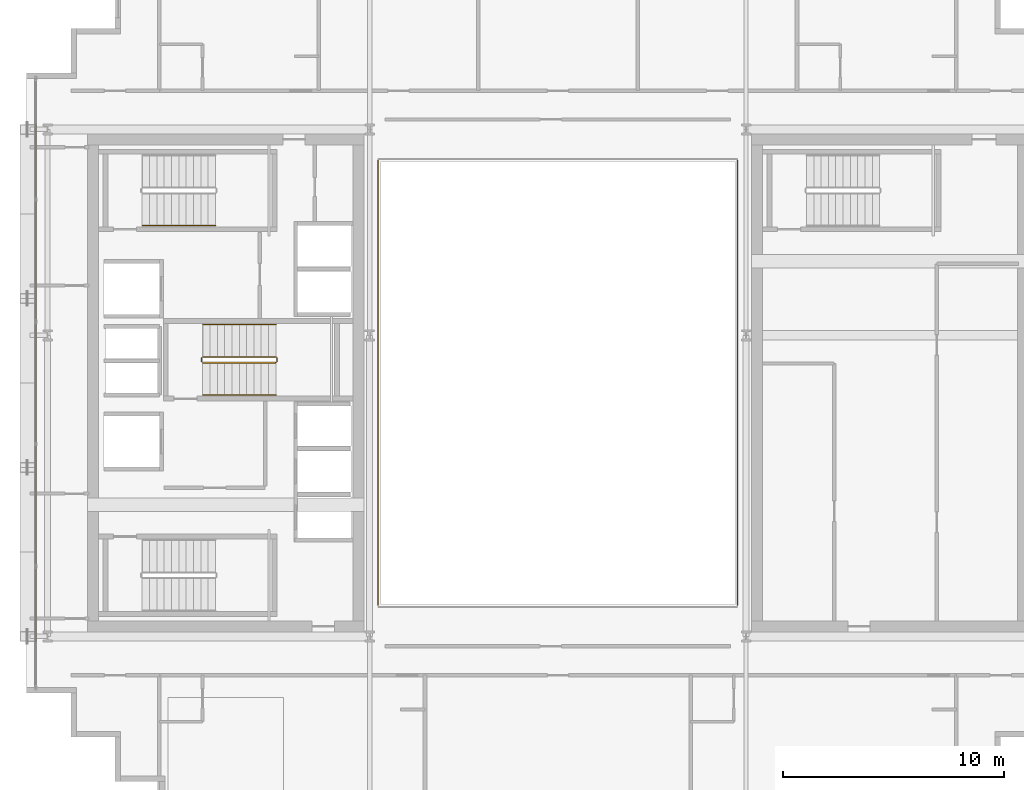
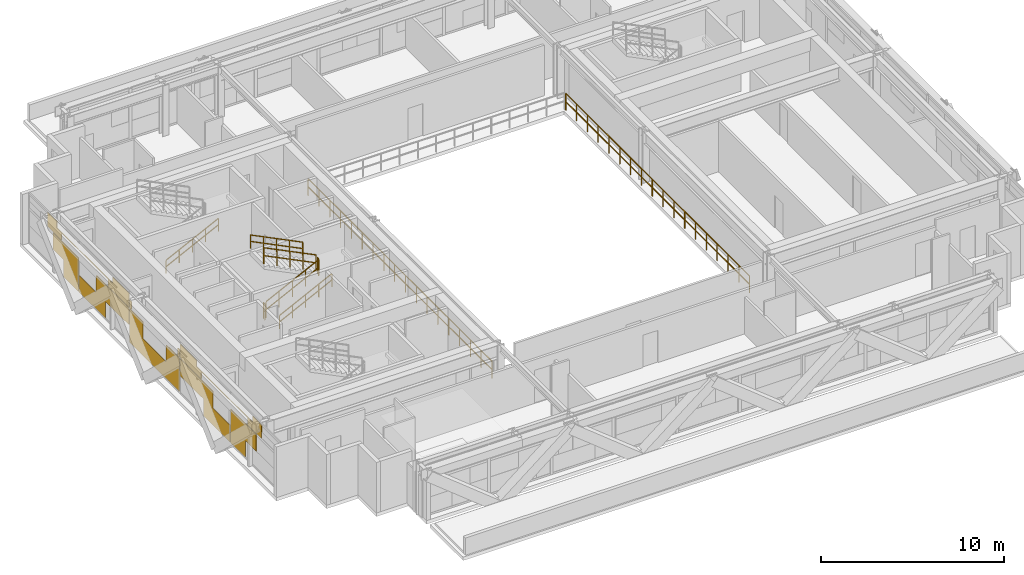
# One storey, part 32 of 34: 9 railings, 1 covering.
"""IFC4 building model written with IfcOpenShell, lengths in metres."""

import ifcopenshell
import ifcopenshell.guid

model = None  # the IFC model being written
_history = None  # IfcOwnerHistory: only IFC2X3 demands one
_inside = {}  # id of a spatial element -> (the spatial element, [elements in it])
_under = {}  # id of a project, library or spatial element -> (it, [spatial elements below it])
_declared = {}  # id of a project -> (the project, [libraries it declares])
_typed = {}  # id of a type object -> (the type object, [elements of that type])
_made_of = {}  # id of a material, layer set ... -> (it, [elements and type objects made of it])


def new_model(schema):
    """Start an empty IFC model of exactly this schema.

    Asked for "IFC4X3", IfcOpenShell would pick the latest addendum, in which some entities
    have other attributes; the version numbers below select the first issue.
    IFC2X3 requires an IfcOwnerHistory on every rooted entity: one is made here for all.
    """
    global model, _history
    if schema == "IFC4X3":
        model = ifcopenshell.file(schema_version=(4, 3, 0, 0))
    else:
        model = ifcopenshell.file(schema=schema)
    _inside.clear()
    _under.clear()
    _declared.clear()
    _typed.clear()
    _made_of.clear()
    _history = None
    if model.schema == "IFC2X3":
        org = make("IfcOrganization", Name="unknown")
        user = make(
            "IfcPersonAndOrganization",
            ThePerson=make("IfcPerson", FamilyName="unknown"),
            TheOrganization=org,
        )
        app = make(
            "IfcApplication",
            ApplicationDeveloper=org,
            Version="unknown",
            ApplicationFullName="unknown",
            ApplicationIdentifier="unknown",
        )
        _history = make(
            "IfcOwnerHistory",
            OwningUser=user,
            OwningApplication=app,
            ChangeAction="ADDED",
            CreationDate=0,
        )
    return model


def make(cls, **values):
    """One entity of the class cls with the attributes given. An attribute that is None is left unset."""
    return model.create_entity(
        cls, **{name: value for name, value in values.items() if value is not None}
    )


def rooted(cls, **values):
    """An entity with a GlobalId (a new one), such as an element, a storey or a relation."""
    return make(cls, GlobalId=ifcopenshell.guid.new(), OwnerHistory=_history, **values)


def si_unit(unit_type, name, prefix=None):
    """IfcSIUnit, for example si_unit("LENGTHUNIT", "METRE", prefix="MILLI")."""
    return make("IfcSIUnit", UnitType=unit_type, Prefix=prefix, Name=name)


def assignment(units):
    """IfcUnitAssignment: the units of a project."""
    return None if units is None else make("IfcUnitAssignment", Units=units)


def point(xyz):
    """IfcCartesianPoint."""
    return None if xyz is None else make("IfcCartesianPoint", Coordinates=xyz)


def direction(xyz):
    """IfcDirection."""
    return None if xyz is None else make("IfcDirection", DirectionRatios=xyz)


def frame(location, z_axis=None, x_axis=None):
    """IfcAxis2Placement3D, a coordinate frame: its origin and axes. An axis left out is left unset."""
    return make(
        "IfcAxis2Placement3D",
        Location=point(location),
        Axis=direction(z_axis),
        RefDirection=direction(x_axis),
    )


def frame_2d(location, x_axis=None):
    """IfcAxis2Placement2D, a coordinate frame in the plane: its origin and x axis."""
    return make(
        "IfcAxis2Placement2D", Location=point(location), RefDirection=direction(x_axis)
    )


def origin():
    """The frame at (0, 0, 0) with its axes left unset."""
    return frame((0.0, 0.0, 0.0))


def origin_2d():
    """The frame at (0, 0) in the plane with its x axis left unset."""
    return frame_2d((0.0, 0.0))


def place(relative_to, where):
    """IfcLocalPlacement: puts the frame where relative to a parent placement (None: the world)."""
    return make(
        "IfcLocalPlacement", PlacementRelTo=relative_to, RelativePlacement=where
    )


def context(
    kind, dimensions, precision=None, world=None, true_north=None, identifier=None
):
    """IfcGeometricRepresentationContext, for example the 3D "Model" context."""
    return make(
        "IfcGeometricRepresentationContext",
        ContextIdentifier=identifier,
        ContextType=kind,
        CoordinateSpaceDimension=dimensions,
        Precision=precision,
        WorldCoordinateSystem=world,
        TrueNorth=true_north,
    )


def subcontext(parent, identifier, kind, view, scale=None):
    """IfcGeometricRepresentationSubContext, for example "Body" below "Model"."""
    return make(
        "IfcGeometricRepresentationSubContext",
        ContextIdentifier=identifier,
        ContextType=kind,
        ParentContext=parent,
        TargetScale=scale,
        TargetView=view,
    )


def project(units=None, contexts=None):
    """IfcProject with its units and contexts."""
    return rooted(
        "IfcProject",
        Name="project",
        RepresentationContexts=contexts,
        UnitsInContext=assignment(units),
    )


def spatial(cls, under=None, at=None, **own):
    """A site, building, storey or space (cls), placed at a placement, below another one or the project."""
    s = rooted(cls, ObjectPlacement=at, **own)
    if under is not None:
        _under.setdefault(under.id(), (under, []))[1].append(s)
    return s


def profile(cls, at=None, kind="AREA", **sizes):
    """A parametric profile (cls). Its sizes go by their IFC names, for example OverallWidth=200.0."""
    return make(cls, ProfileType=kind, Position=at, **sizes)


def rectangle(**sizes):
    """IfcRectangleProfileDef."""
    return profile("IfcRectangleProfileDef", **sizes)


def extrude(swept, where, along, depth):
    """IfcExtrudedAreaSolid: the profile swept, set in the frame where, extruded along a direction by depth."""
    return make(
        "IfcExtrudedAreaSolid",
        SweptArea=swept,
        Position=where,
        ExtrudedDirection=direction(along),
        Depth=depth,
    )


def shape(context_of_items, identifier, shape_type, items):
    """IfcShapeRepresentation: the items that make up one representation, for example the "Body"."""
    return make(
        "IfcShapeRepresentation",
        ContextOfItems=context_of_items,
        RepresentationIdentifier=identifier,
        RepresentationType=shape_type,
        Items=items,
    )


def material(Name=None, Category=None):
    """IfcMaterial."""
    return make("IfcMaterial", Name=Name, Category=Category)


def layer(
    of_material, thickness, ventilated=None, Name=None, Category=None, Priority=None
):
    """IfcMaterialLayer: one layer of a wall or slab, of a material (None: an air gap)."""
    return make(
        "IfcMaterialLayer",
        Material=of_material,
        LayerThickness=thickness,
        IsVentilated=ventilated,
        Name=Name,
        Category=Category,
        Priority=Priority,
    )


def layer_set(layers, Name=None):
    """IfcMaterialLayerSet."""
    return make("IfcMaterialLayerSet", MaterialLayers=layers, LayerSetName=Name)


def made_of(thing, what):
    """Note that an element or type object is made of a material, layer set ...; save() writes the relation."""
    if what is not None:
        _made_of.setdefault(what.id(), (what, []))[1].append(thing)
    return thing


def type_object(cls, material=None, **own):
    """A type object (cls), such as IfcWallType, which elements share."""
    return made_of(rooted(cls, **own), material)


def element(
    cls,
    number,
    at=None,
    inside=None,
    cuts=None,
    type_object=None,
    material=None,
    context=None,
    identifier="Body",
    shape_type=None,
    held_by="IfcProductDefinitionShape",
    body=None,
    shapes=None,
    **own,
):
    """One element of the class cls, such as IfcWall. Its Tag is "e" and its number.

    at: its placement. inside: the storey or other place that contains it. cuts: it is an
    opening in that element (IfcRelVoidsElement). A single representation is given by context,
    identifier, shape_type and body (its items); several are given by shapes. held_by: the class
    of the entity that holds the representations. save() writes the other relations.
    """
    e = rooted(cls, Tag="e%d" % number, ObjectPlacement=at, **own)
    if body is not None:
        shapes = [shape(context, identifier, shape_type, body)]
    if shapes is not None:
        e.Representation = make(held_by, Representations=shapes)
    if inside is not None:
        _inside.setdefault(inside.id(), (inside, []))[1].append(e)
    if cuts is not None:
        rooted(
            "IfcRelVoidsElement", RelatingBuildingElement=cuts, RelatedOpeningElement=e
        )
    if type_object is not None:
        _typed.setdefault(type_object.id(), (type_object, []))[1].append(e)
    return made_of(e, material)


def aggregate(whole, parts):
    """IfcRelAggregates: a whole, such as a stair, and the parts it consists of."""
    return rooted("IfcRelAggregates", RelatingObject=whole, RelatedObjects=parts)


def save(model, path):
    """Write the relations noted so far, then the file.

    IfcRelAggregates (storeys below a building ...), IfcRelContainedInSpatialStructure (elements
    in a storey), IfcRelDefinesByType, IfcRelAssociatesMaterial and IfcRelDeclares: one each for
    every whole, place, type object, material and project.
    """
    for whole, parts in _under.values():
        aggregate(whole, parts)
    for where, things in _inside.values():
        rooted(
            "IfcRelContainedInSpatialStructure",
            RelatedElements=things,
            RelatingStructure=where,
        )
    for kind, things in _typed.values():
        rooted("IfcRelDefinesByType", RelatedObjects=things, RelatingType=kind)
    for what, things in _made_of.values():
        rooted("IfcRelAssociatesMaterial", RelatedObjects=things, RelatingMaterial=what)
    for by, libraries in _declared.values():
        rooted("IfcRelDeclares", RelatingContext=by, RelatedDefinitions=libraries)
    model.write(path)


model = new_model("IFC4")

# Units and contexts
model_context = context("Model", 3, precision=1e-05, world=origin(), true_north=direction((0.0, 1.0)))
body_context = subcontext(model_context, "Body", "Model", "MODEL_VIEW")
ifc_project = project(units=[si_unit("LENGTHUNIT", "METRE"), si_unit("AREAUNIT", "SQUARE_METRE"), si_unit("VOLUMEUNIT", "CUBIC_METRE"), si_unit("PLANEANGLEUNIT", "RADIAN"), si_unit("MASSUNIT", "GRAM", prefix="KILO")], contexts=[model_context])

# Site, building, storey
site_placement = place(None, origin())
site = spatial("IfcSite", under=ifc_project, at=site_placement, CompositionType="ELEMENT")
building_placement = place(site_placement, origin())
building = spatial("IfcBuilding", under=site, at=building_placement, Name="Ocotamira Hotel", CompositionType="ELEMENT")
storey_placement = place(building_placement, frame((0.0, 0.0, 163.199951171875)))
storey = spatial("IfcBuildingStorey", under=building, at=storey_placement, Name="L40", CompositionType="ELEMENT", Elevation=163.199951171875)

# Covering
ifc_material_1 = material(Name="Insulated pale-metal aluminium spandrel panel", Category="aluminium")
ifc_layer = layer(ifc_material_1, 0.044921875)
ifc_layer_set = layer_set([ifc_layer], Name="Insulated pale-metal aluminium spandrel panel")
covering_type = type_object("IfcCoveringType", Name="COV-INFILL-45", PredefinedType="CLADDING", material=ifc_layer_set)
covering_placement = place(storey_placement, origin())
element("IfcCovering", 1, at=covering_placement, inside=storey, type_object=covering_type, Name="L40 Curtain Wall Infill CW-4 CW-L40-W", PredefinedType="CLADDING", context=body_context, shape_type="SweptSolid", body=[
    extrude(rectangle(XDim=2.782958984375, YDim=0.044921875, at=origin_2d()), frame((8.419921875, 16.2880859375, 1.1943359375), z_axis=(0.0, 0.0, 1.0), x_axis=(0.0, 1.0, 0.0)), (0.0, 0.0, 1.0), 1.11767578125),
    extrude(rectangle(XDim=1.596923828125, YDim=0.044921875, at=origin_2d()), frame((8.419921875, 16.881103515625, 0.07568359375), z_axis=(0.0, 0.0, 1.0), x_axis=(0.0, 1.0, 0.0)), (0.0, 0.0, 1.0), 1.117919921875),
    extrude(rectangle(XDim=3.38720703125, YDim=0.044921875, at=origin_2d()), frame((8.419921875, 15.98583984375, 2.848876953125), z_axis=(0.0, 0.0, 1.0), x_axis=(0.0, 1.0, 0.0)), (0.0, 0.0, 1.0), 0.033203125),
    extrude(rectangle(XDim=1.019287109375, YDim=0.044921875, at=origin_2d()), frame((8.419921875, 14.8017578125, 2.883056640625), z_axis=(0.0, 0.0, 1.0), x_axis=(0.0, 1.0, 0.0)), (0.0, 0.0, 1.0), 0.41162109375),
    extrude(rectangle(XDim=1.507568359375, YDim=0.044921875, at=origin_2d()), frame((8.419921875, 15.082275390625, 2.38818359375), z_axis=(0.0, 0.0, 1.0), x_axis=(0.0, 1.0, 0.0)), (0.0, 0.0, 1.0), 0.459716796875),
    extrude(rectangle(XDim=2.89013671875, YDim=0.044921875, at=origin_2d()), frame((8.419921875, 19.20556640625, 0.07568359375), z_axis=(0.0, 0.0, 1.0), x_axis=(0.0, 1.0, 0.0)), (0.0, 0.0, 1.0), 1.117919921875),
    extrude(rectangle(XDim=3.568115234375, YDim=0.044921875, at=origin_2d()), frame((8.419921875, 21.41552734375, 1.1943359375), z_axis=(0.0, 0.0, 1.0), x_axis=(0.0, 1.0, 0.0)), (0.0, 0.0, 1.0), 1.11767578125),
    extrude(rectangle(XDim=5.43896484375, YDim=0.044921875, at=origin_2d()), frame((8.419921875, 20.47998046875, 2.848876953125), z_axis=(0.0, 0.0, 1.0), x_axis=(0.0, 1.0, 0.0)), (0.0, 0.0, 1.0), 0.033203125),
    extrude(rectangle(XDim=2.302490234375, YDim=0.044921875, at=origin_2d()), frame((8.419921875, 22.04833984375, 2.38818359375), z_axis=(0.0, 0.0, 1.0), x_axis=(0.0, 1.0, 0.0)), (0.0, 0.0, 1.0), 0.459716796875),
    extrude(rectangle(XDim=1.777587890625, YDim=0.044921875, at=origin_2d()), frame((8.419921875, 22.310791015625, 2.883056640625), z_axis=(0.0, 0.0, 1.0), x_axis=(0.0, 1.0, 0.0)), (0.0, 0.0, 1.0), 0.41162109375),
    extrude(rectangle(XDim=5.43896484375, YDim=0.044921875, at=origin_2d()), frame((8.419921875, 26.0, 0.07568359375), z_axis=(0.0, 0.0, 1.0), x_axis=(0.0, 1.0, 0.0)), (0.0, 0.0, 1.0), 1.117919921875),
    extrude(rectangle(XDim=1.45458984375, YDim=0.044921875, at=origin_2d()), frame((8.419921875, 24.0078125, 1.1943359375), z_axis=(0.0, 0.0, 1.0), x_axis=(0.0, 1.0, 0.0)), (0.0, 0.0, 1.0), 1.11767578125),
    extrude(rectangle(XDim=1.45458984375, YDim=0.044921875, at=origin_2d()), frame((8.419921875, 27.9921875, 1.1943359375), z_axis=(0.0, 0.0, 1.0), x_axis=(0.0, 1.0, 0.0)), (0.0, 0.0, 1.0), 1.11767578125),
    extrude(rectangle(XDim=0.18896484375, YDim=0.044921875, at=origin_2d()), frame((8.419921875, 23.375, 2.38818359375), z_axis=(0.0, 0.0, 1.0), x_axis=(0.0, 1.0, 0.0)), (0.0, 0.0, 1.0), 0.493896484375),
    extrude(rectangle(XDim=0.18896484375, YDim=0.044921875, at=origin_2d()), frame((8.419921875, 28.625, 2.38818359375), z_axis=(0.0, 0.0, 1.0), x_axis=(0.0, 1.0, 0.0)), (0.0, 0.0, 1.0), 0.493896484375),
    extrude(rectangle(XDim=3.568115234375, YDim=0.044921875, at=origin_2d()), frame((8.419921875, 30.58447265625, 1.1943359375), z_axis=(0.0, 0.0, 1.0), x_axis=(0.0, 1.0, 0.0)), (0.0, 0.0, 1.0), 1.11767578125),
    extrude(rectangle(XDim=2.89013671875, YDim=0.044921875, at=origin_2d()), frame((8.419921875, 32.79443359375, 0.07568359375), z_axis=(0.0, 0.0, 1.0), x_axis=(0.0, 1.0, 0.0)), (0.0, 0.0, 1.0), 1.117919921875),
    extrude(rectangle(XDim=2.302490234375, YDim=0.044921875, at=origin_2d()), frame((8.419921875, 29.95166015625, 2.38818359375), z_axis=(0.0, 0.0, 1.0), x_axis=(0.0, 1.0, 0.0)), (0.0, 0.0, 1.0), 0.459716796875),
    extrude(rectangle(XDim=5.43896484375, YDim=0.044921875, at=origin_2d()), frame((8.419921875, 31.52001953125, 2.848876953125), z_axis=(0.0, 0.0, 1.0), x_axis=(0.0, 1.0, 0.0)), (0.0, 0.0, 1.0), 0.033203125),
    extrude(rectangle(XDim=1.777587890625, YDim=0.044921875, at=origin_2d()), frame((8.419921875, 29.689208984375, 2.883056640625), z_axis=(0.0, 0.0, 1.0), x_axis=(0.0, 1.0, 0.0)), (0.0, 0.0, 1.0), 0.41162109375),
    extrude(rectangle(XDim=1.596923828125, YDim=0.044921875, at=origin_2d()), frame((8.419921875, 35.118896484375, 0.07568359375), z_axis=(0.0, 0.0, 1.0), x_axis=(0.0, 1.0, 0.0)), (0.0, 0.0, 1.0), 1.117919921875),
    extrude(rectangle(XDim=2.782958984375, YDim=0.044921875, at=origin_2d()), frame((8.419921875, 35.7119140625, 1.1943359375), z_axis=(0.0, 0.0, 1.0), x_axis=(0.0, 1.0, 0.0)), (0.0, 0.0, 1.0), 1.11767578125),
    extrude(rectangle(XDim=3.38720703125, YDim=0.044921875, at=origin_2d()), frame((8.419921875, 36.01416015625, 2.848876953125), z_axis=(0.0, 0.0, 1.0), x_axis=(0.0, 1.0, 0.0)), (0.0, 0.0, 1.0), 0.033203125),
    extrude(rectangle(XDim=1.507568359375, YDim=0.044921875, at=origin_2d()), frame((8.419921875, 36.917724609375, 2.38818359375), z_axis=(0.0, 0.0, 1.0), x_axis=(0.0, 1.0, 0.0)), (0.0, 0.0, 1.0), 0.459716796875),
    extrude(rectangle(XDim=1.019287109375, YDim=0.044921875, at=origin_2d()), frame((8.419921875, 37.1982421875, 2.883056640625), z_axis=(0.0, 0.0, 1.0), x_axis=(0.0, 1.0, 0.0)), (0.0, 0.0, 1.0), 0.41162109375),
])

# Railings
ifc_material_2 = material(Name="Painted steel stair guardrail", Category="steel")
railing_type_1 = type_object("IfcRailingType", Name="RL-EDGE-1150", PredefinedType="GUARDRAIL", material=ifc_material_2)
railing_1_placement = place(storey_placement, frame((40.1201171875, 15.9599609375, 0.0)))
element("IfcRailing", 2, at=railing_1_placement, inside=storey, type_object=railing_type_1, Name="L40 Central Atrium Edge Guardrail E", PredefinedType="GUARDRAIL", context=body_context, shape_type="SweptSolid", body=[
    extrude(rectangle(XDim=0.048095703125, YDim=0.048095703125, at=origin_2d()), frame((0.0, 0.0, 1.1259765625), z_axis=(0.0, 1.0, 0.0), x_axis=(-1.0, 0.0, 0.0)), (0.0, 0.0, 1.0), 20.080078125),
    extrude(rectangle(XDim=0.048095703125, YDim=0.048095703125, at=origin_2d()), frame((0.0, 0.0, 0.574951171875), z_axis=(0.0, 1.0, 0.0), x_axis=(-1.0, 0.0, 0.0)), (0.0, 0.0, 1.0), 20.080078125),
    extrude(rectangle(XDim=0.0419921875, YDim=0.0419921875, at=origin_2d()), origin(), (0.0, 0.0, 1.0), 1.101806640625),
    extrude(rectangle(XDim=0.0419921875, YDim=0.0419921875, at=origin_2d()), frame((0.0, 1.18115234375, 0.0)), (0.0, 0.0, 1.0), 1.101806640625),
    extrude(rectangle(XDim=0.0419921875, YDim=0.0419921875, at=origin_2d()), frame((0.0, 2.3623046875, 0.0)), (0.0, 0.0, 1.0), 1.101806640625),
    extrude(rectangle(XDim=0.0419921875, YDim=0.0419921875, at=origin_2d()), frame((0.0, 3.54345703125, 0.0)), (0.0, 0.0, 1.0), 1.101806640625),
    extrude(rectangle(XDim=0.0419921875, YDim=0.0419921875, at=origin_2d()), frame((0.0, 4.724609375, 0.0)), (0.0, 0.0, 1.0), 1.101806640625),
    extrude(rectangle(XDim=0.0419921875, YDim=0.0419921875, at=origin_2d()), frame((0.0, 5.906005859375, 0.0)), (0.0, 0.0, 1.0), 1.101806640625),
    extrude(rectangle(XDim=0.0419921875, YDim=0.0419921875, at=origin_2d()), frame((0.0, 7.087158203125, 0.0)), (0.0, 0.0, 1.0), 1.101806640625),
    extrude(rectangle(XDim=0.0419921875, YDim=0.0419921875, at=origin_2d()), frame((0.0, 8.268310546875, 0.0)), (0.0, 0.0, 1.0), 1.101806640625),
    extrude(rectangle(XDim=0.0419921875, YDim=0.0419921875, at=origin_2d()), frame((0.0, 9.449462890625, 0.0)), (0.0, 0.0, 1.0), 1.101806640625),
    extrude(rectangle(XDim=0.0419921875, YDim=0.0419921875, at=origin_2d()), frame((0.0, 10.630615234375, 0.0)), (0.0, 0.0, 1.0), 1.101806640625),
    extrude(rectangle(XDim=0.0419921875, YDim=0.0419921875, at=origin_2d()), frame((0.0, 11.811767578125, 0.0)), (0.0, 0.0, 1.0), 1.101806640625),
    extrude(rectangle(XDim=0.0419921875, YDim=0.0419921875, at=origin_2d()), frame((0.0, 12.992919921875, 0.0)), (0.0, 0.0, 1.0), 1.101806640625),
    extrude(rectangle(XDim=0.0419921875, YDim=0.0419921875, at=origin_2d()), frame((0.0, 14.174072265625, 0.0)), (0.0, 0.0, 1.0), 1.101806640625),
    extrude(rectangle(XDim=0.0419921875, YDim=0.0419921875, at=origin_2d()), frame((0.0, 15.35546875, 0.0)), (0.0, 0.0, 1.0), 1.101806640625),
    extrude(rectangle(XDim=0.0419921875, YDim=0.0419921875, at=origin_2d()), frame((0.0, 16.53662109375, 0.0)), (0.0, 0.0, 1.0), 1.101806640625),
    extrude(rectangle(XDim=0.0419921875, YDim=0.0419921875, at=origin_2d()), frame((0.0, 17.7177734375, 0.0)), (0.0, 0.0, 1.0), 1.101806640625),
    extrude(rectangle(XDim=0.0419921875, YDim=0.0419921875, at=origin_2d()), frame((0.0, 18.89892578125, 0.0)), (0.0, 0.0, 1.0), 1.101806640625),
    extrude(rectangle(XDim=0.0419921875, YDim=0.0419921875, at=origin_2d()), frame((0.0, 20.080078125, 0.0)), (0.0, 0.0, 1.0), 1.101806640625),
])
railing_2_placement = place(storey_placement, frame((23.8798828125, 36.0400390625, 0.0)))
element("IfcRailing", 3, at=railing_2_placement, inside=storey, type_object=railing_type_1, Name="L40 Central Atrium Edge Guardrail W", PredefinedType="GUARDRAIL", context=body_context, shape_type="SweptSolid", body=[
    extrude(rectangle(XDim=0.048095703125, YDim=0.048095703125, at=origin_2d()), frame((0.0, 0.0, 1.1259765625), z_axis=(0.0, -1.0, 0.0), x_axis=(1.0, 0.0, 0.0)), (0.0, 0.0, 1.0), 20.080078125),
    extrude(rectangle(XDim=0.048095703125, YDim=0.048095703125, at=origin_2d()), frame((0.0, 0.0, 0.574951171875), z_axis=(0.0, -1.0, 0.0), x_axis=(1.0, 0.0, 0.0)), (0.0, 0.0, 1.0), 20.080078125),
    extrude(rectangle(XDim=0.0419921875, YDim=0.0419921875, at=origin_2d()), origin(), (0.0, 0.0, 1.0), 1.101806640625),
    extrude(rectangle(XDim=0.0419921875, YDim=0.0419921875, at=origin_2d()), frame((0.0, -1.18115234375, 0.0)), (0.0, 0.0, 1.0), 1.101806640625),
    extrude(rectangle(XDim=0.0419921875, YDim=0.0419921875, at=origin_2d()), frame((0.0, -2.3623046875, 0.0)), (0.0, 0.0, 1.0), 1.101806640625),
    extrude(rectangle(XDim=0.0419921875, YDim=0.0419921875, at=origin_2d()), frame((0.0, -3.54345703125, 0.0)), (0.0, 0.0, 1.0), 1.101806640625),
    extrude(rectangle(XDim=0.0419921875, YDim=0.0419921875, at=origin_2d()), frame((0.0, -4.724609375, 0.0)), (0.0, 0.0, 1.0), 1.101806640625),
    extrude(rectangle(XDim=0.0419921875, YDim=0.0419921875, at=origin_2d()), frame((0.0, -5.906005859375, 0.0)), (0.0, 0.0, 1.0), 1.101806640625),
    extrude(rectangle(XDim=0.0419921875, YDim=0.0419921875, at=origin_2d()), frame((0.0, -7.087158203125, 0.0)), (0.0, 0.0, 1.0), 1.101806640625),
    extrude(rectangle(XDim=0.0419921875, YDim=0.0419921875, at=origin_2d()), frame((0.0, -8.268310546875, 0.0)), (0.0, 0.0, 1.0), 1.101806640625),
    extrude(rectangle(XDim=0.0419921875, YDim=0.0419921875, at=origin_2d()), frame((0.0, -9.449462890625, 0.0)), (0.0, 0.0, 1.0), 1.101806640625),
    extrude(rectangle(XDim=0.0419921875, YDim=0.0419921875, at=origin_2d()), frame((0.0, -10.630615234375, 0.0)), (0.0, 0.0, 1.0), 1.101806640625),
    extrude(rectangle(XDim=0.0419921875, YDim=0.0419921875, at=origin_2d()), frame((0.0, -11.811767578125, 0.0)), (0.0, 0.0, 1.0), 1.101806640625),
    extrude(rectangle(XDim=0.0419921875, YDim=0.0419921875, at=origin_2d()), frame((0.0, -12.992919921875, 0.0)), (0.0, 0.0, 1.0), 1.101806640625),
    extrude(rectangle(XDim=0.0419921875, YDim=0.0419921875, at=origin_2d()), frame((0.0, -14.174072265625, 0.0)), (0.0, 0.0, 1.0), 1.101806640625),
    extrude(rectangle(XDim=0.0419921875, YDim=0.0419921875, at=origin_2d()), frame((0.0, -15.35546875, 0.0)), (0.0, 0.0, 1.0), 1.101806640625),
    extrude(rectangle(XDim=0.0419921875, YDim=0.0419921875, at=origin_2d()), frame((0.0, -16.53662109375, 0.0)), (0.0, 0.0, 1.0), 1.101806640625),
    extrude(rectangle(XDim=0.0419921875, YDim=0.0419921875, at=origin_2d()), frame((0.0, -17.7177734375, 0.0)), (0.0, 0.0, 1.0), 1.101806640625),
    extrude(rectangle(XDim=0.0419921875, YDim=0.0419921875, at=origin_2d()), frame((0.0, -18.89892578125, 0.0)), (0.0, 0.0, 1.0), 1.101806640625),
    extrude(rectangle(XDim=0.0419921875, YDim=0.0419921875, at=origin_2d()), frame((0.0, -20.080078125, 0.0)), (0.0, 0.0, 1.0), 1.101806640625),
])
ifc_material_3 = material(Name="Brushed stainless steel handrail", Category="steel")
railing_type_2 = type_object("IfcRailingType", Name="RL-HAND-900", PredefinedType="HANDRAIL", material=ifc_material_3)
for number, where, name in (
    (4, (13.22998046875, 33.10009765625, 0.327392578125), "L40 ST-2 stair handrail 1"),
    (5, (15.9599609375, 25.449951171875, 0.327392578125), "L40 ST-3 stair handrail 1"),
):
    element("IfcRailing", number, at=place(storey_placement, frame(where)), inside=storey, type_object=railing_type_2, Name=name, PredefinedType="HANDRAIL", context=body_context, shape_type="SweptSolid", body=[
        extrude(rectangle(XDim=0.048095703125, YDim=0.048095703125, at=origin_2d()), frame((0.0, 0.0, 0.8759765625), z_axis=(0.895920123917, 0.0, 0.444215186098), x_axis=(0.0, 1.0, 0.0)), (0.0, 0.0, 1.0), 3.683349609375),
        extrude(rectangle(XDim=0.048095703125, YDim=0.048095703125, at=origin_2d()), frame((0.0, 0.0, 0.449951171875), z_axis=(0.895920123917, 0.0, 0.444215186098), x_axis=(0.0, 1.0, 0.0)), (0.0, 0.0, 1.0), 3.683349609375),
        extrude(rectangle(XDim=0.0419921875, YDim=0.0419921875, at=origin_2d()), origin(), (0.0, 0.0, 1.0), 0.851806640625),
        extrude(rectangle(XDim=0.0419921875, YDim=0.0419921875, at=origin_2d()), frame((0.824951171875, 0.0, 0.4091796875)), (0.0, 0.0, 1.0), 0.851806640625),
        extrude(rectangle(XDim=0.0419921875, YDim=0.0419921875, at=origin_2d()), frame((1.64990234375, 0.0, 0.818115234375)), (0.0, 0.0, 1.0), 0.851806640625),
        extrude(rectangle(XDim=0.0419921875, YDim=0.0419921875, at=origin_2d()), frame((2.47509765625, 0.0, 1.22705078125)), (0.0, 0.0, 1.0), 0.851806640625),
        extrude(rectangle(XDim=0.0419921875, YDim=0.0419921875, at=origin_2d()), frame((3.300048828125, 0.0, 1.63623046875)), (0.0, 0.0, 1.0), 0.851806640625),
    ])
railing_3_placement = place(storey_placement, frame((19.260009765625, 28.6298828125, 2.12744140625)))
element("IfcRailing", 6, at=railing_3_placement, inside=storey, type_object=railing_type_2, Name="L40 ST-3 stair handrail 2", PredefinedType="HANDRAIL", context=body_context, shape_type="SweptSolid", body=[
    extrude(rectangle(XDim=0.048095703125, YDim=0.048095703125, at=origin_2d()), frame((0.0, 0.0, 0.8759765625), z_axis=(-0.895920123917, 0.0, 0.444215186098), x_axis=(0.0, -1.0, 0.0)), (0.0, 0.0, 1.0), 3.683349609375),
    extrude(rectangle(XDim=0.048095703125, YDim=0.048095703125, at=origin_2d()), frame((0.0, 0.0, 0.449951171875), z_axis=(-0.895920123917, 0.0, 0.444215186098), x_axis=(0.0, -1.0, 0.0)), (0.0, 0.0, 1.0), 3.683349609375),
    extrude(rectangle(XDim=0.0419921875, YDim=0.0419921875, at=origin_2d()), origin(), (0.0, 0.0, 1.0), 0.851806640625),
    extrude(rectangle(XDim=0.0419921875, YDim=0.0419921875, at=origin_2d()), frame((-0.824951171875, 0.0, 0.4091796875)), (0.0, 0.0, 1.0), 0.851806640625),
    extrude(rectangle(XDim=0.0419921875, YDim=0.0419921875, at=origin_2d()), frame((-1.64990234375, 0.0, 0.818115234375)), (0.0, 0.0, 1.0), 0.851806640625),
    extrude(rectangle(XDim=0.0419921875, YDim=0.0419921875, at=origin_2d()), frame((-2.47509765625, 0.0, 1.22705078125)), (0.0, 0.0, 1.0), 0.851806640625),
    extrude(rectangle(XDim=0.0419921875, YDim=0.0419921875, at=origin_2d()), frame((-3.300048828125, 0.0, 1.63623046875)), (0.0, 0.0, 1.0), 0.851806640625),
])
railing_type_3 = type_object("IfcRailingType", Name="RL-STAIR-1100", PredefinedType="GUARDRAIL", material=ifc_material_2)
railing_4_placement = place(storey_placement, frame((15.9599609375, 26.909912109375, 0.16357421875)))
element("IfcRailing", 7, at=railing_4_placement, inside=storey, type_object=railing_type_3, Name="L40 ST-3 stair guard 1", PredefinedType="GUARDRAIL", context=body_context, shape_type="SweptSolid", body=[
    extrude(rectangle(XDim=0.048095703125, YDim=0.048095703125, at=origin_2d()), frame((0.0, 0.0, 1.076171875), z_axis=(0.895893744519, 0.0, 0.4442683857), x_axis=(0.0, 1.0, 0.0)), (0.0, 0.0, 1.0), 3.68359375),
    extrude(rectangle(XDim=0.048095703125, YDim=0.048095703125, at=origin_2d()), frame((0.0, 0.0, 0.550048828125), z_axis=(0.895893744519, 0.0, 0.4442683857), x_axis=(0.0, 1.0, 0.0)), (0.0, 0.0, 1.0), 3.68359375),
    extrude(rectangle(XDim=0.0419921875, YDim=0.0419921875, at=origin_2d()), origin(), (0.0, 0.0, 1.0), 1.052001953125),
    extrude(rectangle(XDim=0.0419921875, YDim=0.0419921875, at=origin_2d()), frame((0.824951171875, 0.0, 0.4091796875)), (0.0, 0.0, 1.0), 1.052001953125),
    extrude(rectangle(XDim=0.0419921875, YDim=0.0419921875, at=origin_2d()), frame((1.64990234375, 0.0, 0.818359375)), (0.0, 0.0, 1.0), 1.052001953125),
    extrude(rectangle(XDim=0.0419921875, YDim=0.0419921875, at=origin_2d()), frame((2.47509765625, 0.0, 1.227294921875)), (0.0, 0.0, 1.0), 1.052001953125),
    extrude(rectangle(XDim=0.0419921875, YDim=0.0419921875, at=origin_2d()), frame((3.300048828125, 0.0, 1.636474609375)), (0.0, 0.0, 1.0), 1.052001953125),
])
railing_5_placement = place(storey_placement, frame((19.31005859375, 26.9599609375, 1.800048828125)))
element("IfcRailing", 8, at=railing_5_placement, inside=storey, type_object=railing_type_3, Name="L40 ST-3 stair guard 2", PredefinedType="GUARDRAIL", context=body_context, shape_type="SweptSolid", body=[
    extrude(rectangle(XDim=0.048095703125, YDim=0.048095703125, at=origin_2d()), frame((0.0, 0.0, 1.076171875), z_axis=(0.0, 1.0, 0.0), x_axis=(-1.0, 0.0, 0.0)), (0.0, 0.0, 1.0), 0.16015625),
    extrude(rectangle(XDim=0.048095703125, YDim=0.048095703125, at=origin_2d()), frame((0.0, 0.0, 0.550048828125), z_axis=(0.0, 1.0, 0.0), x_axis=(-1.0, 0.0, 0.0)), (0.0, 0.0, 1.0), 0.16015625),
    extrude(rectangle(XDim=0.0419921875, YDim=0.0419921875, at=origin_2d()), origin(), (0.0, 0.0, 1.0), 1.052001953125),
    extrude(rectangle(XDim=0.0419921875, YDim=0.0419921875, at=origin_2d()), frame((0.0, 0.16015625, 0.0)), (0.0, 0.0, 1.0), 1.052001953125),
])
railing_6_placement = place(storey_placement, frame((19.260009765625, 27.169921875, 1.963623046875)))
element("IfcRailing", 9, at=railing_6_placement, inside=storey, type_object=railing_type_3, Name="L40 ST-3 stair guard 3", PredefinedType="GUARDRAIL", context=body_context, shape_type="SweptSolid", body=[
    extrude(rectangle(XDim=0.048095703125, YDim=0.048095703125, at=origin_2d()), frame((0.0, 0.0, 1.076171875), z_axis=(-0.895893744519, 0.0, 0.4442683857), x_axis=(0.0, -1.0, 0.0)), (0.0, 0.0, 1.0), 3.68359375),
    extrude(rectangle(XDim=0.048095703125, YDim=0.048095703125, at=origin_2d()), frame((0.0, 0.0, 0.550048828125), z_axis=(-0.895893744519, 0.0, 0.4442683857), x_axis=(0.0, -1.0, 0.0)), (0.0, 0.0, 1.0), 3.68359375),
    extrude(rectangle(XDim=0.0419921875, YDim=0.0419921875, at=origin_2d()), origin(), (0.0, 0.0, 1.0), 1.052001953125),
    extrude(rectangle(XDim=0.0419921875, YDim=0.0419921875, at=origin_2d()), frame((-0.824951171875, 0.0, 0.4091796875)), (0.0, 0.0, 1.0), 1.052001953125),
    extrude(rectangle(XDim=0.0419921875, YDim=0.0419921875, at=origin_2d()), frame((-1.64990234375, 0.0, 0.818359375)), (0.0, 0.0, 1.0), 1.052001953125),
    extrude(rectangle(XDim=0.0419921875, YDim=0.0419921875, at=origin_2d()), frame((-2.47509765625, 0.0, 1.227294921875)), (0.0, 0.0, 1.0), 1.052001953125),
    extrude(rectangle(XDim=0.0419921875, YDim=0.0419921875, at=origin_2d()), frame((-3.300048828125, 0.0, 1.636474609375)), (0.0, 0.0, 1.0), 1.052001953125),
])
railing_7_placement = place(storey_placement, frame((15.909912109375, 26.9599609375, 0.0)))
element("IfcRailing", 10, at=railing_7_placement, inside=storey, type_object=railing_type_3, Name="L40 ST-3 stair guard 4", PredefinedType="GUARDRAIL", context=body_context, shape_type="SweptSolid", body=[
    extrude(rectangle(XDim=0.048095703125, YDim=0.048095703125, at=origin_2d()), frame((0.0, 0.0, 1.076171875), z_axis=(0.0, 1.0, 0.0), x_axis=(-1.0, 0.0, 0.0)), (0.0, 0.0, 1.0), 0.16015625),
    extrude(rectangle(XDim=0.048095703125, YDim=0.048095703125, at=origin_2d()), frame((0.0, 0.0, 0.550048828125), z_axis=(0.0, 1.0, 0.0), x_axis=(-1.0, 0.0, 0.0)), (0.0, 0.0, 1.0), 0.16015625),
    extrude(rectangle(XDim=0.0419921875, YDim=0.0419921875, at=origin_2d()), origin(), (0.0, 0.0, 1.0), 1.052001953125),
    extrude(rectangle(XDim=0.0419921875, YDim=0.0419921875, at=origin_2d()), frame((0.0, 0.16015625, 0.0)), (0.0, 0.0, 1.0), 1.052001953125),
])

save(model, "model.ifc")
